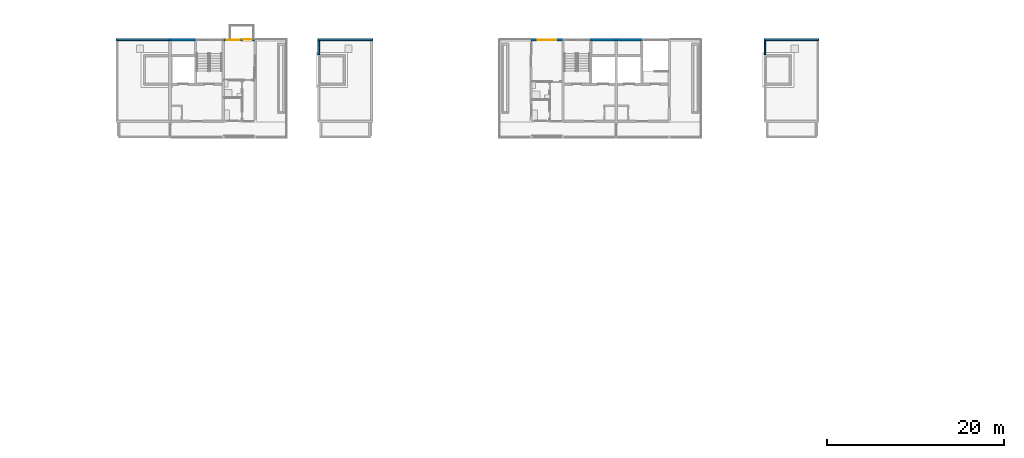
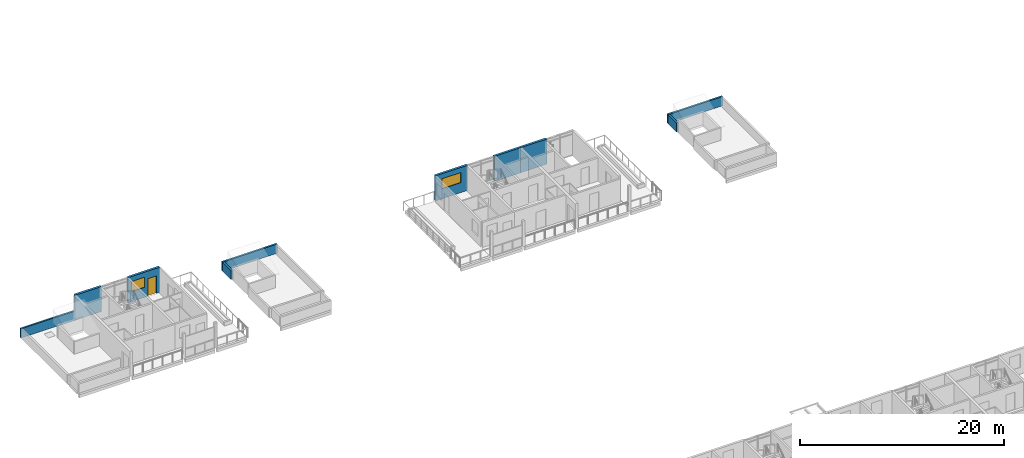
# One storey, part 46 of 87: 10 walls, 2 windows, 1 door, 3 openings.
"""IFC4 building model written with IfcOpenShell, lengths in metres."""

from ifc_helpers import new_model, si_unit, direction, frame, frame_2d, origin, place, context, subcontext, project, spatial, rectangle, extrude, material, layer, layer_set, type_object, element, fill, save


model = new_model("IFC4")

# Units and contexts
model_context = context("Model", 3, precision=1e-05, world=origin(), true_north=direction((0.0, 1.0)))
body_context = subcontext(model_context, "Body", "Model", "MODEL_VIEW")
ifc_project = project(units=[si_unit("LENGTHUNIT", "METRE"), si_unit("AREAUNIT", "SQUARE_METRE"), si_unit("VOLUMEUNIT", "CUBIC_METRE"), si_unit("PLANEANGLEUNIT", "RADIAN"), si_unit("MASSUNIT", "GRAM", prefix="KILO")], contexts=[model_context])

# Site, building, storey
site_placement = place(None, origin())
site = spatial("IfcSite", under=ifc_project, at=site_placement, CompositionType="ELEMENT")
building_placement = place(site_placement, origin())
building = spatial("IfcBuilding", under=site, at=building_placement, Name="Ridgestep Commons", CompositionType="ELEMENT")
storey_placement = place(building_placement, frame((0.0, 0.0, 27.0)))
storey = spatial("IfcBuildingStorey", under=building, at=storey_placement, Name="L09", CompositionType="ELEMENT", Elevation=27.0)

# Wall
ifc_material_1 = material(Name="Precast concrete C40/50", Category="concrete")
ifc_layer_1 = layer(ifc_material_1, 0.25)
ifc_layer_set_1 = layer_set([ifc_layer_1], Name="North facade panel 250")
wall_type_1 = type_object("IfcWallType", Name="North facade panel 250", PredefinedType="SOLIDWALL", material=ifc_layer_set_1)
wall_1_placement = place(storey_placement, frame((28.800048828125, 77.125, 0.0), z_axis=(0.0, 0.0, 1.0), x_axis=(1.0, 0.0, 0.0)))
element("IfcWall", 1, at=wall_1_placement, inside=storey, type_object=wall_type_1, Name="North panel B2C L09", PredefinedType="SOLIDWALL", context=body_context, shape_type="SweptSolid", body=[
    extrude(rectangle(XDim=2.974853515625, YDim=0.25, at=frame_2d((1.4873046875, 0.0))), origin(), (0.0, 0.0, 1.0), 3.0),
])

# Wall, openings, door, window
wall_2_placement = place(storey_placement, frame((34.800048828125, 77.125, 0.0), z_axis=(0.0, 0.0, 1.0), x_axis=(1.0, 0.0, 0.0)))
wall_2 = element("IfcWall", 2, at=wall_2_placement, inside=storey, type_object=wall_type_1, Name="North panel B2T3 L09", PredefinedType="SOLIDWALL", context=body_context, shape_type="SweptSolid", body=[
    extrude(rectangle(XDim=3.599853515625, YDim=0.25, at=frame_2d((1.7998046875, 0.0))), origin(), (0.0, 0.0, 1.0), 3.0),
])
opening_1_placement = place(wall_2_placement, frame((0.381591796875, 0.0, 1.199951171875)))
opening_1 = element("IfcOpeningElement", 3, at=opening_1_placement, cuts=wall_2, Name="Opening W13", PredefinedType="OPENING", context=body_context, shape_type="SweptSolid", body=[
    extrude(rectangle(XDim=1.5, YDim=1.199951171875, at=frame_2d((0.75, 0.60009765625))), frame((0.0, 0.135009765625, 0.0), z_axis=(0.0, -1.0, 0.0), x_axis=(1.0, 0.0, 0.0)), (0.0, 0.0, 1.0), 0.27001953125),
])
opening_2_placement = place(wall_2_placement, frame((2.238037109375, 0.0, 0.0)))
opening_2 = element("IfcOpeningElement", 4, at=opening_2_placement, cuts=wall_2, Name="Opening B2-09a/6", PredefinedType="OPENING", context=body_context, shape_type="SweptSolid", body=[
    extrude(rectangle(XDim=1.0, YDim=2.10009765625, at=frame_2d((0.5, 1.050048828125))), frame((0.0, 0.135009765625, 0.0), z_axis=(0.0, -1.0, 0.0), x_axis=(1.0, 0.0, 0.0)), (0.0, 0.0, 1.0), 0.27001953125),
])
ifc_material_2 = material(Name="Aluminium and glass", Category="aluminium")
door_type = type_object("IfcDoorType", Name="Balcony door 1000 x 2100", OperationType="NOTDEFINED", PredefinedType="DOOR", material=ifc_material_2)
door_placement = place(opening_2_placement, origin())
door = element("IfcDoor", 5, at=door_placement, inside=storey, type_object=door_type, Name="Balcony door B2-09a/6", OperationType="SINGLE_SWING_LEFT", OverallHeight=2.10009765625, OverallWidth=1.0, PredefinedType="DOOR", context=body_context, shape_type="SweptSolid", body=[
    extrude(rectangle(XDim=1.0, YDim=2.10009765625, at=frame_2d((0.5, 1.050048828125))), frame((0.0, 0.02490234375, 0.0), z_axis=(0.0, -1.0, 0.0), x_axis=(1.0, 0.0, 0.0)), (0.0, 0.0, 1.0), 0.050048828125),
])
fill(opening_2, door)
ifc_material_3 = material(Name="Aluminium 6063-T6 and glass", Category="aluminium")
window_type_1 = type_object("IfcWindowType", Name="Flat window 1500 x 1200", PartitioningType="DOUBLE_PANEL_VERTICAL", PredefinedType="WINDOW", material=ifc_material_3)
window_1_placement = place(opening_1_placement, origin())
window_1 = element("IfcWindow", 6, at=window_1_placement, inside=storey, type_object=window_type_1, Name="Window B2-09a 2", OverallHeight=1.199951171875, OverallWidth=1.5, PartitioningType="SINGLE_PANEL", PredefinedType="WINDOW", context=body_context, shape_type="SweptSolid", body=[
    extrude(rectangle(XDim=1.5, YDim=1.199951171875, at=frame_2d((0.75, 0.60009765625))), frame((0.0, -0.02490234375, 0.0), z_axis=(0.0, -1.0, 0.0), x_axis=(1.0, 0.0, 0.0)), (0.0, 0.0, 1.0), 0.06005859375),
])
fill(opening_1, window_1)

# Wall, opening, window
wall_3_placement = place(storey_placement, frame((69.60009765625, 77.125, 0.0), z_axis=(0.0, 0.0, 1.0), x_axis=(1.0, 0.0, 0.0)))
wall_3 = element("IfcWall", 7, at=wall_3_placement, inside=storey, type_object=wall_type_1, Name="North panel B4T3 L09", PredefinedType="SOLIDWALL", context=body_context, shape_type="SweptSolid", body=[
    extrude(rectangle(XDim=3.599853515625, YDim=0.25, at=frame_2d((1.7998046875, 0.0))), origin(), (0.0, 0.0, 1.0), 3.0),
])
opening_3_placement = place(wall_3_placement, frame((0.737548828125, 0.0, 1.199951171875)))
opening_3 = element("IfcOpeningElement", 8, at=opening_3_placement, cuts=wall_3, Name="Opening W22", PredefinedType="OPENING", context=body_context, shape_type="SweptSolid", body=[
    extrude(rectangle(XDim=2.10009765625, YDim=1.199951171875, at=frame_2d((1.050048828125, 0.60009765625))), frame((0.0, 0.135009765625, 0.0), z_axis=(0.0, -1.0, 0.0), x_axis=(1.0, 0.0, 0.0)), (0.0, 0.0, 1.0), 0.27001953125),
])
ifc_material_4 = material(Name="Aluminium 6063-T6 and glass", Category="aluminium")
window_type_2 = type_object("IfcWindowType", Name="Flat window 2100 x 1200", PartitioningType="DOUBLE_PANEL_VERTICAL", PredefinedType="WINDOW", material=ifc_material_4)
window_2_placement = place(opening_3_placement, origin())
window_2 = element("IfcWindow", 9, at=window_2_placement, inside=storey, type_object=window_type_2, Name="Window B4-09a 2", OverallHeight=1.199951171875, OverallWidth=2.10009765625, PartitioningType="SINGLE_PANEL", PredefinedType="WINDOW", context=body_context, shape_type="SweptSolid", body=[
    extrude(rectangle(XDim=2.10009765625, YDim=1.199951171875, at=frame_2d((1.050048828125, 0.60009765625))), frame((0.0, -0.02490234375, 0.0), z_axis=(0.0, -1.0, 0.0), x_axis=(1.0, 0.0, 0.0)), (0.0, 0.0, 1.0), 0.06005859375),
])
fill(opening_3, window_2)

# Walls
wall_4_placement = place(storey_placement, frame((76.22509765625, 77.125, 0.0), z_axis=(0.0, 0.0, 1.0), x_axis=(1.0, 0.0, 0.0)))
element("IfcWall", 10, at=wall_4_placement, inside=storey, type_object=wall_type_1, Name="North panel B4C L09", PredefinedType="SOLIDWALL", context=body_context, shape_type="SweptSolid", body=[
    extrude(rectangle(XDim=2.974853515625, YDim=0.25, at=frame_2d((1.4873046875, 0.0))), origin(), (0.0, 0.0, 1.0), 3.0),
])
wall_5_placement = place(storey_placement, frame((79.199951171875, 77.125, 0.0), z_axis=(0.0, 0.0, 1.0), x_axis=(1.0, 0.0, 0.0)))
element("IfcWall", 11, at=wall_5_placement, inside=storey, type_object=wall_type_1, Name="North panel B5C L09", PredefinedType="SOLIDWALL", context=body_context, shape_type="SweptSolid", body=[
    extrude(rectangle(XDim=2.97509765625, YDim=0.25, at=frame_2d((1.487548828125, 0.0))), origin(), (0.0, 0.0, 1.0), 3.0),
])
ifc_material_5 = material(Name="Precast concrete C40/50", Category="concrete")
ifc_layer_2 = layer(ifc_material_5, 0.199951171875)
ifc_layer_set_2 = layer_set([ifc_layer_2], Name="Parapet wall 200")
wall_type_2 = type_object("IfcWallType", Name="Parapet wall 200", PredefinedType="PARAPET", material=ifc_layer_set_2)
for number, where, z_axis, x_axis, name in (
    (12, (22.699951171875, 77.125, 0.0), (0.0, 0.0, 1.0), (1.0, 0.0, 0.0), "Parapet B1C north"),
    (13, (45.5, 77.125, 0.0), (0.0, 0.0, 1.0), (1.0, 0.0, 0.0), "Parapet B3C north"),
):
    element("IfcWall", number, at=place(storey_placement, frame(where, z_axis=z_axis, x_axis=x_axis)), inside=storey, type_object=wall_type_2, Name=name, PredefinedType="PARAPET", context=body_context, shape_type="SweptSolid", body=[
        extrude(rectangle(XDim=6.199951171875, YDim=0.199951171875, at=frame_2d((3.10009765625, 0.0))), origin(), (0.0, 0.0, 1.0), 1.10009765625),
    ])
wall_6_placement = place(storey_placement, frame((45.60009765625, 75.39990234375, 0.0), z_axis=(0.0, 0.0, 1.0), x_axis=(0.0, 1.0, 0.0)))
element("IfcWall", 14, at=wall_6_placement, inside=storey, type_object=wall_type_2, Name="Parapet B3C west", PredefinedType="PARAPET", context=body_context, shape_type="SweptSolid", body=[
    extrude(rectangle(XDim=1.625, YDim=0.199951171875, at=frame_2d((0.8125, 0.0))), origin(), (0.0, 0.0, 1.0), 1.10009765625),
])
wall_7_placement = place(storey_placement, frame((95.89990234375, 77.125, 0.0), z_axis=(0.0, 0.0, 1.0), x_axis=(1.0, 0.0, 0.0)))
element("IfcWall", 15, at=wall_7_placement, inside=storey, type_object=wall_type_2, Name="Parapet B6C north", PredefinedType="PARAPET", context=body_context, shape_type="SweptSolid", body=[
    extrude(rectangle(XDim=6.2001953125, YDim=0.199951171875, at=frame_2d((3.10009765625, 0.0))), origin(), (0.0, 0.0, 1.0), 1.10009765625),
])
wall_8_placement = place(storey_placement, frame((96.0, 75.39990234375, 0.0), z_axis=(0.0, 0.0, 1.0), x_axis=(0.0, 1.0, 0.0)))
element("IfcWall", 16, at=wall_8_placement, inside=storey, type_object=wall_type_2, Name="Parapet B6C west", PredefinedType="PARAPET", context=body_context, shape_type="SweptSolid", body=[
    extrude(rectangle(XDim=1.625, YDim=0.199951171875, at=frame_2d((0.8125, 0.0))), origin(), (0.0, 0.0, 1.0), 1.10009765625),
])

save(model, "model.ifc")
